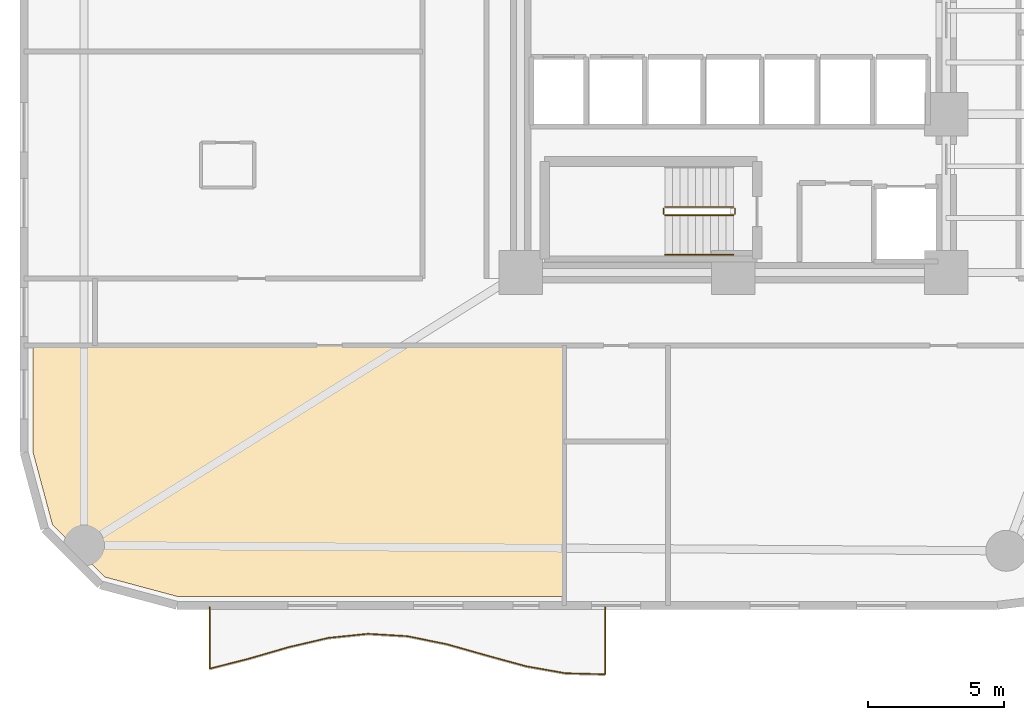
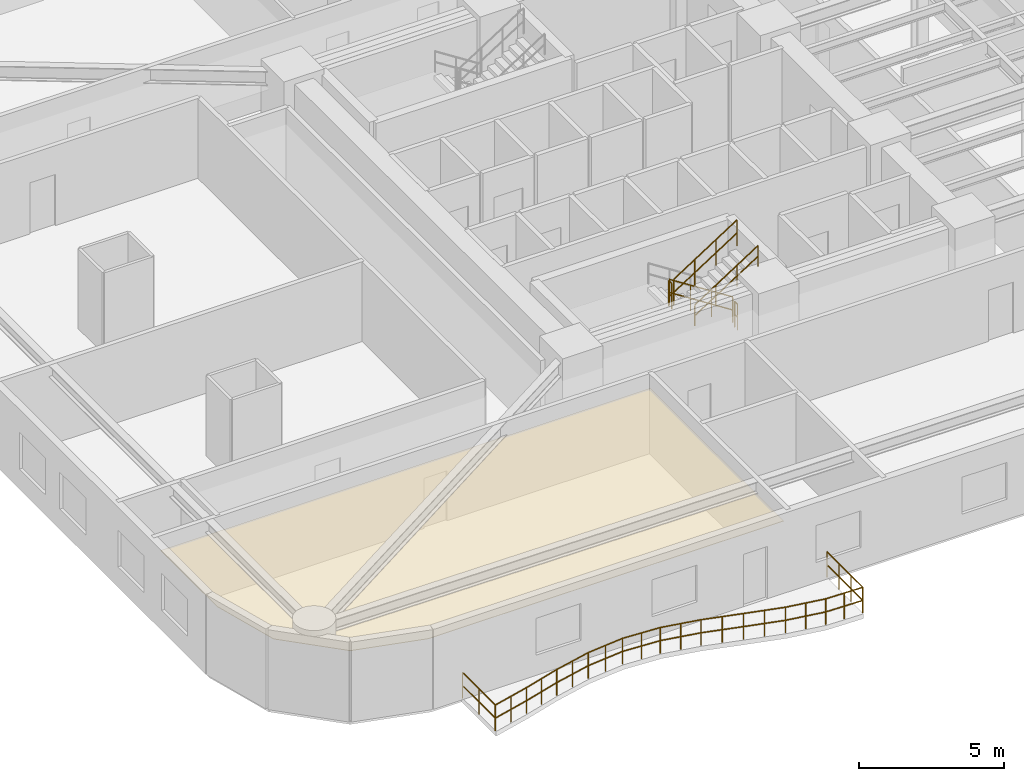
# One storey, part 14 of 16: 6 railings, 1 covering.
"""IFC4 building model written with IfcOpenShell, lengths in metres."""

from ifc_helpers import new_model, si_unit, direction, frame, origin, origin_2d, place, context, subcontext, project, spatial, polyline, circle, outline, extrude, material, layer, layer_set, type_object, element, save


model = new_model("IFC4")

# Units and contexts
model_context = context("Model", 3, precision=1e-05, world=origin(), true_north=direction((0.0, 1.0)))
body_context = subcontext(model_context, "Body", "Model", "MODEL_VIEW")
ifc_project = project(units=[si_unit("LENGTHUNIT", "METRE"), si_unit("AREAUNIT", "SQUARE_METRE"), si_unit("VOLUMEUNIT", "CUBIC_METRE"), si_unit("PLANEANGLEUNIT", "RADIAN"), si_unit("MASSUNIT", "GRAM", prefix="KILO")], contexts=[model_context])

# Site, building, storey
site_placement = place(None, origin())
site = spatial("IfcSite", under=ifc_project, at=site_placement, CompositionType="ELEMENT")
building_placement = place(site_placement, origin())
building = spatial("IfcBuilding", under=site, at=building_placement, Name="An Khanh Terracotta Commons", CompositionType="ELEMENT")
storey_placement = place(building_placement, frame((0.0, 0.0, 72.0)))
storey = spatial("IfcBuildingStorey", under=building, at=storey_placement, Name="L19", CompositionType="ELEMENT", Elevation=72.0)

# Covering
ifc_material_1 = material(Name="Perforated Mineral-Fibre Acoustic Tile")
ifc_layer = layer(ifc_material_1, 0.02001953125, Name="Perforated Mineral-Fibre Acoustic Tile")
ifc_layer_set = layer_set([ifc_layer], Name="Perforated Mineral-Fibre Acoustic Tile")
covering_type = type_object("IfcCoveringType", Name="CEIL-ACOUSTIC-18", PredefinedType="CEILING", material=ifc_layer_set)
covering_placement = place(storey_placement, frame((0.0, 0.0, 2.64990234375)))
element("IfcCovering", 1, at=covering_placement, inside=storey, type_object=covering_type, Name="L19 Student Reading Library Ceiling", PredefinedType="CEILING", context=body_context, shape_type="SweptSolid", body=[
    extrude(outline(polyline([(9.0419921875, 2.52001953125), (6.365966796875, 3.237060546875), (4.43701171875, 5.166015625), (3.719970703125, 7.842041015625), (3.719970703125, 11.719970703125), (6.0, 11.719970703125), (23.199951171875, 11.719970703125), (23.199951171875, 8.199951171875), (23.199951171875, 2.52001953125), (9.0419921875, 2.52001953125)])), origin(), (0.0, 0.0, 1.0), 0.02001953125),
])

# Railings
ifc_material_2 = material(Name="Brushed Stainless Steel 316", Category="steel")
railing_type_1 = type_object("IfcRailingType", Name="RAIL-BALUSTRADE-1100", PredefinedType="BALUSTRADE", material=ifc_material_2)
railing_1_placement = place(storey_placement, frame((10.199951171875, 2.139892578125, 0.0)))
element("IfcRailing", 2, at=railing_1_placement, inside=storey, type_object=railing_type_1, Name="L19 S Wave Balcony Guard Balustrade", PredefinedType="BALUSTRADE", context=body_context, shape_type="SweptSolid", body=[
    extrude(circle(Radius=0.02392578125, at=origin_2d()), frame((0.0, 0.0, 1.076171875), z_axis=(0.0, -1.0, 0.0), x_axis=(1.0, 0.0, 0.0)), (0.0, 0.0, 1.0), 2.260009765625),
    extrude(circle(Radius=0.02392578125, at=origin_2d()), frame((0.0, 0.0, 0.52587890625), z_axis=(0.0, -1.0, 0.0), x_axis=(1.0, 0.0, 0.0)), (0.0, 0.0, 1.0), 2.260009765625),
    extrude(circle(Radius=0.02392578125, at=origin_2d()), frame((0.0, -2.260009765625, 1.076171875), z_axis=(0.969087243923, 0.246718288064, 0.0), x_axis=(-0.246718288064, 0.969087243923, 0.0)), (0.0, 0.0, 1.0), 1.49609375),
    extrude(circle(Radius=0.02392578125, at=origin_2d()), frame((0.0, -2.260009765625, 0.52587890625), z_axis=(0.969087243923, 0.246718288064, 0.0), x_axis=(-0.246718288064, 0.969087243923, 0.0)), (0.0, 0.0, 1.0), 1.49609375),
    extrude(circle(Radius=0.02392578125, at=origin_2d()), frame((1.449951171875, -1.890869140625, 1.076171875), z_axis=(0.960368566916, 0.278733233899, 0.0), x_axis=(-0.278733233899, 0.960368566916, 0.0)), (0.0, 0.0, 1.0), 1.510009765625),
    extrude(circle(Radius=0.02392578125, at=origin_2d()), frame((1.449951171875, -1.890869140625, 0.52587890625), z_axis=(0.960368566916, 0.278733233899, 0.0), x_axis=(-0.278733233899, 0.960368566916, 0.0)), (0.0, 0.0, 1.0), 1.510009765625),
    extrude(circle(Radius=0.02392578125, at=origin_2d()), frame((2.900146484375, -1.469970703125, 1.076171875), z_axis=(0.973869021788, 0.227110388142, 0.0), x_axis=(-0.227110388142, 0.973869021788, 0.0)), (0.0, 0.0, 1.0), 1.48876953125),
    extrude(circle(Radius=0.02392578125, at=origin_2d()), frame((2.900146484375, -1.469970703125, 0.52587890625), z_axis=(0.973869021788, 0.227110388142, 0.0), x_axis=(-0.227110388142, 0.973869021788, 0.0)), (0.0, 0.0, 1.0), 1.48876953125),
    extrude(circle(Radius=0.02392578125, at=origin_2d()), frame((4.35009765625, -1.1318359375, 1.076171875), z_axis=(0.994698294231, 0.102836294436, 0.0), x_axis=(-0.102836294436, 0.994698294231, 0.0)), (0.0, 0.0, 1.0), 1.457763671875),
    extrude(circle(Radius=0.02392578125, at=origin_2d()), frame((4.35009765625, -1.1318359375, 0.52587890625), z_axis=(0.994698294231, 0.102836294436, 0.0), x_axis=(-0.102836294436, 0.994698294231, 0.0)), (0.0, 0.0, 1.0), 1.457763671875),
    extrude(circle(Radius=0.02392578125, at=origin_2d()), frame((5.800048828125, -0.98193359375, 1.076171875), z_axis=(0.99820826031, -0.059835349498, 0.0), x_axis=(0.059835349498, 0.99820826031, 0.0)), (0.0, 0.0, 1.0), 1.45263671875),
    extrude(circle(Radius=0.02392578125, at=origin_2d()), frame((5.800048828125, -0.98193359375, 0.52587890625), z_axis=(0.99820826031, -0.059835349498, 0.0), x_axis=(0.059835349498, 0.99820826031, 0.0)), (0.0, 0.0, 1.0), 1.45263671875),
    extrude(circle(Radius=0.02392578125, at=origin_2d()), frame((7.25, -1.06884765625, 1.076171875), z_axis=(0.979902237786, -0.199478330608, 0.0), x_axis=(0.199478330608, 0.979902237786, 0.0)), (0.0, 0.0, 1.0), 1.479736328125),
    extrude(circle(Radius=0.02392578125, at=origin_2d()), frame((7.25, -1.06884765625, 0.52587890625), z_axis=(0.979902237786, -0.199478330608, 0.0), x_axis=(0.199478330608, 0.979902237786, 0.0)), (0.0, 0.0, 1.0), 1.479736328125),
    extrude(circle(Radius=0.02392578125, at=origin_2d()), frame((8.699951171875, -1.364013671875, 1.076171875), z_axis=(0.962296498521, -0.272002663471, 0.0), x_axis=(0.272002663471, 0.962296498521, 0.0)), (0.0, 0.0, 1.0), 1.507080078125),
    extrude(circle(Radius=0.02392578125, at=origin_2d()), frame((8.699951171875, -1.364013671875, 0.52587890625), z_axis=(0.962296498521, -0.272002663471, 0.0), x_axis=(0.272002663471, 0.962296498521, 0.0)), (0.0, 0.0, 1.0), 1.507080078125),
    extrude(circle(Radius=0.02392578125, at=origin_2d()), frame((10.150146484375, -1.77392578125, 1.076171875), z_axis=(0.964504761538, -0.264065455845, 0.0), x_axis=(0.264065455845, 0.964504761538, 0.0)), (0.0, 0.0, 1.0), 1.50341796875),
    extrude(circle(Radius=0.02392578125, at=origin_2d()), frame((10.150146484375, -1.77392578125, 0.52587890625), z_axis=(0.964504761538, -0.264065455845, 0.0), x_axis=(0.264065455845, 0.964504761538, 0.0)), (0.0, 0.0, 1.0), 1.50341796875),
    extrude(circle(Radius=0.02392578125, at=origin_2d()), frame((11.60009765625, -2.1708984375, 1.076171875), z_axis=(0.984643037785, -0.174579747228, 0.0), x_axis=(0.174579747228, 0.984643037785, 0.0)), (0.0, 0.0, 1.0), 1.47265625),
    extrude(circle(Radius=0.02392578125, at=origin_2d()), frame((11.60009765625, -2.1708984375, 0.52587890625), z_axis=(0.984643037785, -0.174579747228, 0.0), x_axis=(0.174579747228, 0.984643037785, 0.0)), (0.0, 0.0, 1.0), 1.47265625),
    extrude(circle(Radius=0.02392578125, at=origin_2d()), frame((13.050048828125, -2.427978515625, 1.076171875), z_axis=(0.999659603601, -0.026089785916, 0.0), x_axis=(0.026089785916, 0.999659603601, 0.0)), (0.0, 0.0, 1.0), 1.450439453125),
    extrude(circle(Radius=0.02392578125, at=origin_2d()), frame((13.050048828125, -2.427978515625, 0.52587890625), z_axis=(0.999659603601, -0.026089785916, 0.0), x_axis=(0.026089785916, 0.999659603601, 0.0)), (0.0, 0.0, 1.0), 1.450439453125),
    extrude(circle(Radius=0.02392578125, at=origin_2d()), frame((14.5, -2.4658203125, 1.076171875), z_axis=(0.0, 1.0, 0.0), x_axis=(-1.0, 0.0, 0.0)), (0.0, 0.0, 1.0), 2.4658203125),
    extrude(circle(Radius=0.02392578125, at=origin_2d()), frame((14.5, -2.4658203125, 0.52587890625), z_axis=(0.0, 1.0, 0.0), x_axis=(-1.0, 0.0, 0.0)), (0.0, 0.0, 1.0), 2.4658203125),
    extrude(circle(Radius=0.02099609375, at=origin_2d()), origin(), (0.0, 0.0, 1.0), 1.052001953125),
    extrude(circle(Radius=0.02099609375, at=origin_2d()), frame((0.0, -1.1298828125, 0.0)), (0.0, 0.0, 1.0), 1.052001953125),
    extrude(circle(Radius=0.02099609375, at=origin_2d()), frame((0.0, -2.260009765625, 0.0)), (0.0, 0.0, 1.0), 1.052001953125),
    extrude(circle(Radius=0.02099609375, at=origin_2d()), frame((0.72509765625, -2.075439453125, 0.0)), (0.0, 0.0, 1.0), 1.052001953125),
    extrude(circle(Radius=0.02099609375, at=origin_2d()), frame((1.449951171875, -1.890869140625, 0.0)), (0.0, 0.0, 1.0), 1.052001953125),
    extrude(circle(Radius=0.02099609375, at=origin_2d()), frame((2.175048828125, -1.680419921875, 0.0)), (0.0, 0.0, 1.0), 1.052001953125),
    extrude(circle(Radius=0.02099609375, at=origin_2d()), frame((2.900146484375, -1.469970703125, 0.0)), (0.0, 0.0, 1.0), 1.052001953125),
    extrude(circle(Radius=0.02099609375, at=origin_2d()), frame((3.625, -1.30078125, 0.0)), (0.0, 0.0, 1.0), 1.052001953125),
    extrude(circle(Radius=0.02099609375, at=origin_2d()), frame((4.35009765625, -1.1318359375, 0.0)), (0.0, 0.0, 1.0), 1.052001953125),
    extrude(circle(Radius=0.02099609375, at=origin_2d()), frame((5.0751953125, -1.056884765625, 0.0)), (0.0, 0.0, 1.0), 1.052001953125),
    extrude(circle(Radius=0.02099609375, at=origin_2d()), frame((5.800048828125, -0.98193359375, 0.0)), (0.0, 0.0, 1.0), 1.052001953125),
    extrude(circle(Radius=0.02099609375, at=origin_2d()), frame((6.52490234375, -1.025390625, 0.0)), (0.0, 0.0, 1.0), 1.052001953125),
    extrude(circle(Radius=0.02099609375, at=origin_2d()), frame((7.25, -1.06884765625, 0.0)), (0.0, 0.0, 1.0), 1.052001953125),
    extrude(circle(Radius=0.02099609375, at=origin_2d()), frame((7.97509765625, -1.21630859375, 0.0)), (0.0, 0.0, 1.0), 1.052001953125),
    extrude(circle(Radius=0.02099609375, at=origin_2d()), frame((8.699951171875, -1.364013671875, 0.0)), (0.0, 0.0, 1.0), 1.052001953125),
    extrude(circle(Radius=0.02099609375, at=origin_2d()), frame((9.425048828125, -1.56884765625, 0.0)), (0.0, 0.0, 1.0), 1.052001953125),
    extrude(circle(Radius=0.02099609375, at=origin_2d()), frame((10.150146484375, -1.77392578125, 0.0)), (0.0, 0.0, 1.0), 1.052001953125),
    extrude(circle(Radius=0.02099609375, at=origin_2d()), frame((10.875, -1.972412109375, 0.0)), (0.0, 0.0, 1.0), 1.052001953125),
    extrude(circle(Radius=0.02099609375, at=origin_2d()), frame((11.60009765625, -2.1708984375, 0.0)), (0.0, 0.0, 1.0), 1.052001953125),
    extrude(circle(Radius=0.02099609375, at=origin_2d()), frame((12.3251953125, -2.29931640625, 0.0)), (0.0, 0.0, 1.0), 1.052001953125),
    extrude(circle(Radius=0.02099609375, at=origin_2d()), frame((13.050048828125, -2.427978515625, 0.0)), (0.0, 0.0, 1.0), 1.052001953125),
    extrude(circle(Radius=0.02099609375, at=origin_2d()), frame((13.77490234375, -2.44677734375, 0.0)), (0.0, 0.0, 1.0), 1.052001953125),
    extrude(circle(Radius=0.02099609375, at=origin_2d()), frame((14.5, -2.4658203125, 0.0)), (0.0, 0.0, 1.0), 1.052001953125),
    extrude(circle(Radius=0.02099609375, at=origin_2d()), frame((14.5, -1.643798828125, 0.0)), (0.0, 0.0, 1.0), 1.052001953125),
    extrude(circle(Radius=0.02099609375, at=origin_2d()), frame((14.5, -0.822021484375, 0.0)), (0.0, 0.0, 1.0), 1.052001953125),
    extrude(circle(Radius=0.02099609375, at=origin_2d()), frame((14.5, 0.0, 0.0)), (0.0, 0.0, 1.0), 1.052001953125),
])
railing_type_2 = type_object("IfcRailingType", Name="RAIL-HANDRAIL-900", PredefinedType="HANDRAIL", material=ifc_material_2)
railing_2_placement = place(storey_placement, frame((26.889892578125, 15.050048828125, 1.97998046875)))
element("IfcRailing", 3, at=railing_2_placement, inside=storey, type_object=railing_type_2, Name="L19 ST-02 stair handrail 2", PredefinedType="HANDRAIL", context=body_context, shape_type="SweptSolid", body=[
    extrude(circle(Radius=0.02392578125, at=origin_2d()), frame((0.0, 0.0, 0.8759765625), z_axis=(0.841162588446, 0.0, 0.540782303519), x_axis=(0.0, 1.0, 0.0)), (0.0, 0.0, 1.0), 2.995849609375),
    extrude(circle(Radius=0.02392578125, at=origin_2d()), frame((0.0, 0.0, 0.42578125), z_axis=(0.841162588446, 0.0, 0.540782303519), x_axis=(0.0, 1.0, 0.0)), (0.0, 0.0, 1.0), 2.995849609375),
    extrude(circle(Radius=0.02099609375, at=origin_2d()), origin(), (0.0, 0.0, 1.0), 0.851806640625),
    extrude(circle(Radius=0.02099609375, at=origin_2d()), frame((0.840087890625, 0.0, 0.5400390625)), (0.0, 0.0, 1.0), 0.851806640625),
    extrude(circle(Radius=0.02099609375, at=origin_2d()), frame((1.679931640625, 0.0, 1.080078125)), (0.0, 0.0, 1.0), 0.851806640625),
    extrude(circle(Radius=0.02099609375, at=origin_2d()), frame((2.52001953125, 0.0, 1.6201171875)), (0.0, 0.0, 1.0), 0.851806640625),
])
ifc_material_3 = material(Name="Powder-Coated Steel S355J2", Category="steel")
railing_type_3 = type_object("IfcRailingType", Name="RAIL-STAIR-GUARD-1100", PredefinedType="BALUSTRADE", material=ifc_material_3)
railing_3_placement = place(storey_placement, frame((29.409912109375, 16.800048828125, 0.179931640625)))
element("IfcRailing", 4, at=railing_3_placement, inside=storey, type_object=railing_type_3, Name="L19 ST-02 stair guard 1", PredefinedType="BALUSTRADE", context=body_context, shape_type="SweptSolid", body=[
    extrude(circle(Radius=0.02392578125, at=origin_2d()), frame((0.0, 0.0, 1.076171875), z_axis=(-0.841162588446, 0.0, 0.540782303519), x_axis=(0.0, -1.0, 0.0)), (0.0, 0.0, 1.0), 2.995849609375),
    extrude(circle(Radius=0.02392578125, at=origin_2d()), frame((0.0, 0.0, 0.52587890625), z_axis=(-0.841162588446, 0.0, 0.540782303519), x_axis=(0.0, -1.0, 0.0)), (0.0, 0.0, 1.0), 2.995849609375),
    extrude(circle(Radius=0.02099609375, at=origin_2d()), origin(), (0.0, 0.0, 1.0), 1.052001953125),
    extrude(circle(Radius=0.02099609375, at=origin_2d()), frame((-0.840087890625, 0.0, 0.5400390625)), (0.0, 0.0, 1.0), 1.052001953125),
    extrude(circle(Radius=0.02099609375, at=origin_2d()), frame((-1.679931640625, 0.0, 1.080078125)), (0.0, 0.0, 1.0), 1.052001953125),
    extrude(circle(Radius=0.02099609375, at=origin_2d()), frame((-2.52001953125, 0.0, 1.6201171875)), (0.0, 0.0, 1.0), 1.052001953125),
])
railing_4_placement = place(storey_placement, frame((26.840087890625, 16.75, 1.800048828125)))
element("IfcRailing", 5, at=railing_4_placement, inside=storey, type_object=railing_type_3, Name="L19 ST-02 stair guard 2", PredefinedType="BALUSTRADE", context=body_context, shape_type="SweptSolid", body=[
    extrude(circle(Radius=0.02392578125, at=origin_2d()), frame((0.0, 0.0, 1.076171875), z_axis=(0.0, -1.0, 0.0), x_axis=(1.0, 0.0, 0.0)), (0.0, 0.0, 1.0), 0.199951171875),
    extrude(circle(Radius=0.02392578125, at=origin_2d()), frame((0.0, 0.0, 0.52587890625), z_axis=(0.0, -1.0, 0.0), x_axis=(1.0, 0.0, 0.0)), (0.0, 0.0, 1.0), 0.199951171875),
    extrude(circle(Radius=0.02099609375, at=origin_2d()), origin(), (0.0, 0.0, 1.0), 1.052001953125),
    extrude(circle(Radius=0.02099609375, at=origin_2d()), frame((0.0, -0.199951171875, 0.0)), (0.0, 0.0, 1.0), 1.052001953125),
])
railing_5_placement = place(storey_placement, frame((26.889892578125, 16.5, 1.97998046875)))
element("IfcRailing", 6, at=railing_5_placement, inside=storey, type_object=railing_type_3, Name="L19 ST-02 stair guard 3", PredefinedType="BALUSTRADE", context=body_context, shape_type="SweptSolid", body=[
    extrude(circle(Radius=0.02392578125, at=origin_2d()), frame((0.0, 0.0, 1.076171875), z_axis=(0.841162588446, 0.0, 0.540782303519), x_axis=(0.0, 1.0, 0.0)), (0.0, 0.0, 1.0), 2.995849609375),
    extrude(circle(Radius=0.02392578125, at=origin_2d()), frame((0.0, 0.0, 0.52587890625), z_axis=(0.841162588446, 0.0, 0.540782303519), x_axis=(0.0, 1.0, 0.0)), (0.0, 0.0, 1.0), 2.995849609375),
    extrude(circle(Radius=0.02099609375, at=origin_2d()), origin(), (0.0, 0.0, 1.0), 1.052001953125),
    extrude(circle(Radius=0.02099609375, at=origin_2d()), frame((0.840087890625, 0.0, 0.5400390625)), (0.0, 0.0, 1.0), 1.052001953125),
    extrude(circle(Radius=0.02099609375, at=origin_2d()), frame((1.679931640625, 0.0, 1.080078125)), (0.0, 0.0, 1.0), 1.052001953125),
    extrude(circle(Radius=0.02099609375, at=origin_2d()), frame((2.52001953125, 0.0, 1.6201171875)), (0.0, 0.0, 1.0), 1.052001953125),
])
railing_6_placement = place(storey_placement, frame((29.4599609375, 16.75, 0.0)))
element("IfcRailing", 7, at=railing_6_placement, inside=storey, type_object=railing_type_3, Name="L19 ST-02 stair guard 4", PredefinedType="BALUSTRADE", context=body_context, shape_type="SweptSolid", body=[
    extrude(circle(Radius=0.02392578125, at=origin_2d()), frame((0.0, 0.0, 1.076171875), z_axis=(0.0, -1.0, 0.0), x_axis=(1.0, 0.0, 0.0)), (0.0, 0.0, 1.0), 0.199951171875),
    extrude(circle(Radius=0.02392578125, at=origin_2d()), frame((0.0, 0.0, 0.52587890625), z_axis=(0.0, -1.0, 0.0), x_axis=(1.0, 0.0, 0.0)), (0.0, 0.0, 1.0), 0.199951171875),
    extrude(circle(Radius=0.02099609375, at=origin_2d()), origin(), (0.0, 0.0, 1.0), 1.052001953125),
    extrude(circle(Radius=0.02099609375, at=origin_2d()), frame((0.0, -0.199951171875, 0.0)), (0.0, 0.0, 1.0), 1.052001953125),
])

save(model, "model.ifc")
